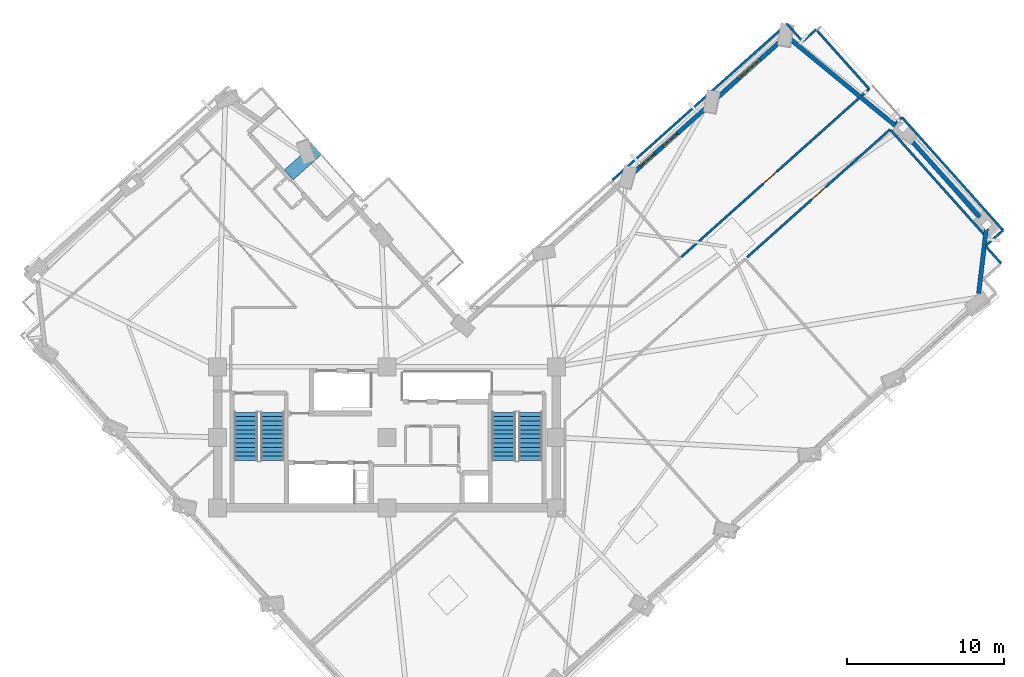
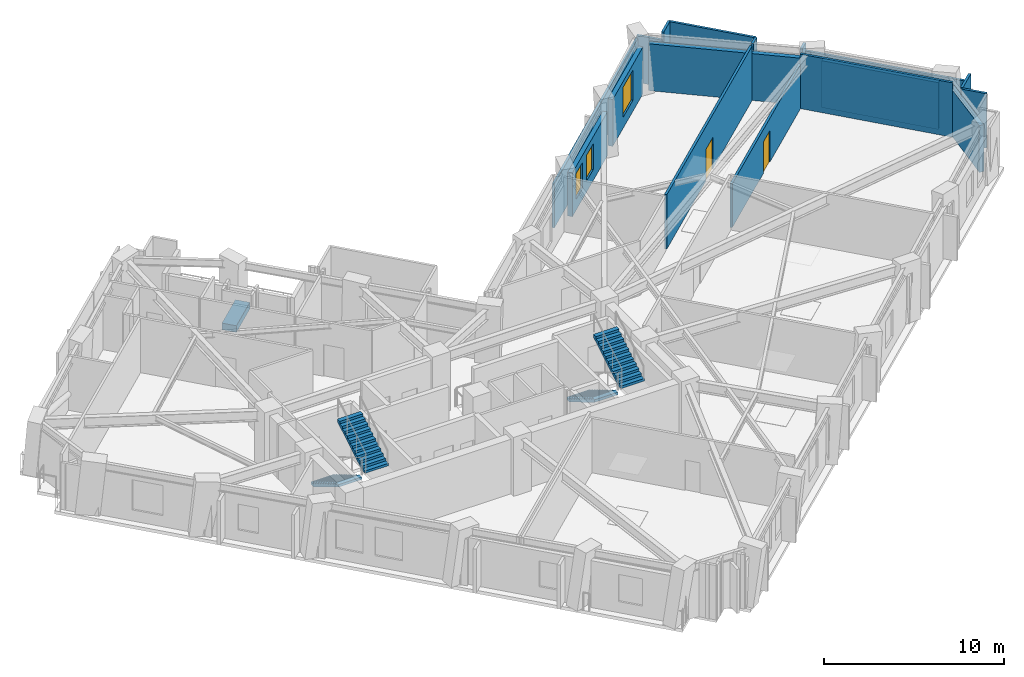
# One storey, part 9 of 14: 17 walls, 4 stair flights, 3 windows, 2 doors, 1 discrete accessory, 5 openings, 2 elements without a shape of their own.
"""IFC4 building model written with IfcOpenShell, lengths in metres."""

from ifc_helpers import new_model, si_unit, direction, frame, frame_2d, origin, origin_2d, place, context, subcontext, project, spatial, polyline, rectangle, outline, extrude, material, layer, layer_set, type_object, element, fill, aggregate, save


model = new_model("IFC4")

# Units and contexts
model_context = context("Model", 3, precision=1e-05, world=origin(), true_north=direction((0.0, 1.0)))
body_context = subcontext(model_context, "Body", "Model", "MODEL_VIEW")
ifc_project = project(units=[si_unit("LENGTHUNIT", "METRE"), si_unit("AREAUNIT", "SQUARE_METRE"), si_unit("VOLUMEUNIT", "CUBIC_METRE"), si_unit("PLANEANGLEUNIT", "RADIAN"), si_unit("MASSUNIT", "GRAM", prefix="KILO")], contexts=[model_context])

# Site, building, storey
site_placement = place(None, origin())
site = spatial("IfcSite", under=ifc_project, at=site_placement, CompositionType="ELEMENT")
building_placement = place(site_placement, origin())
building = spatial("IfcBuilding", under=site, at=building_placement, Name="Gaonmaruhae Medical Tower", CompositionType="ELEMENT")
storey_placement = place(building_placement, frame((0.0, 0.0, 201.800048828125)))
storey = spatial("IfcBuildingStorey", under=building, at=storey_placement, Name="L48", CompositionType="ELEMENT", Elevation=201.800048828125)

# Walls
ifc_material_1 = material(Name="Precast concrete C45/55", Category="concrete")
ifc_layer_1 = layer(ifc_material_1, 0.280029296875)
ifc_layer_set_1 = layer_set([ifc_layer_1], Name="Precast concrete C45/55")
wall_type_1 = type_object("IfcWallType", Name="EW-280 Upper Precast Masonry-Frame Facade Wall", PredefinedType="SOLIDWALL", material=ifc_layer_set_1)
wall_1_placement = place(storey_placement, frame((63.019287109375, 25.593017578125, 0.0), z_axis=(0.0, 0.0, 1.0), x_axis=(-0.117558838406, -0.993065919017, 0.0)))
element("IfcWall", 1, at=wall_1_placement, inside=storey, type_object=wall_type_1, Name="L48 Precast Masonry-Frame Wall S07-E01", PredefinedType="SOLIDWALL", context=body_context, shape_type="SweptSolid", body=[
    extrude(rectangle(XDim=4.145263671875, YDim=0.280029296875, at=frame_2d((2.07275390625, 0.0))), origin(), (0.0, 0.0, 1.0), 3.18505859375),
])
wall_2_placement = place(storey_placement, frame((58.0498046875, 31.436279296875, 0.0), z_axis=(0.0, 0.0, 1.0), x_axis=(0.666527724526, -0.745480242822, 0.0)))
element("IfcWall", 2, at=wall_2_placement, inside=storey, type_object=wall_type_1, Name="L48 Precast Masonry-Frame Wall E01-E02", PredefinedType="SOLIDWALL", context=body_context, shape_type="SweptSolid", body=[
    extrude(rectangle(XDim=6.840087890625, YDim=0.280029296875, at=frame_2d((3.419921875, 0.0))), origin(), (0.0, 0.0, 1.0), 3.18505859375),
])
wall_3_placement = place(storey_placement, frame((50.51611328125, 37.685791015625, 0.0), z_axis=(0.0, 0.0, 1.0), x_axis=(0.772625109764, -0.634862536115, 0.0)))
element("IfcWall", 3, at=wall_3_placement, inside=storey, type_object=wall_type_1, Name="L48 Precast Masonry-Frame Wall E02-E03", PredefinedType="SOLIDWALL", context=body_context, shape_type="SweptSolid", body=[
    extrude(rectangle(XDim=8.837890625, YDim=0.280029296875, at=frame_2d((4.4189453125, 0.0))), origin(), (0.0, 0.0, 1.0), 3.18505859375),
])

# Wall, opening, window
wall_4_placement = place(storey_placement, frame((45.89892578125, 33.985595703125, 0.0), z_axis=(0.0, 0.0, 1.0), x_axis=(0.745484640353, 0.66652280606, 0.0)))
wall_4 = element("IfcWall", 4, at=wall_4_placement, inside=storey, type_object=wall_type_1, Name="L48 Precast Masonry-Frame Wall E03-EN01", PredefinedType="SOLIDWALL", context=body_context, shape_type="SweptSolid", body=[
    extrude(rectangle(XDim=5.404541015625, YDim=0.280029296875, at=frame_2d((2.7021484375, 0.0))), origin(), (0.0, 0.0, 1.0), 3.18505859375),
])
opening_1_placement = place(wall_4_placement, frame((1.798095703125, 0.0, 0.75)))
opening_1 = element("IfcOpeningElement", 5, at=opening_1_placement, cuts=wall_4, Name="Opening WN-04", PredefinedType="OPENING", context=body_context, shape_type="SweptSolid", body=[
    extrude(rectangle(XDim=1.800048828125, YDim=2.050048828125, at=frame_2d((0.89990234375, 1.02490234375))), frame((0.0, 0.14990234375, 0.0), z_axis=(0.0, -1.0, 0.0), x_axis=(1.0, 0.0, 0.0)), (0.0, 0.0, 1.0), 0.300048828125),
])
ifc_material_2 = material(Name="Anodised aluminium and Low-E double glazing", Category="aluminium")
window_type_1 = type_object("IfcWindowType", Name="WN-04 Clinic & Consult Punched Window 1800x2050", PartitioningType="SINGLE_PANEL", PredefinedType="WINDOW", material=ifc_material_2)
window_1_placement = place(opening_1_placement, origin())
window_1 = element("IfcWindow", 6, at=window_1_placement, inside=storey, type_object=window_type_1, Name="L48 Modular Facade Window E03", OverallHeight=2.050048828125, OverallWidth=1.800048828125, PartitioningType="SINGLE_PANEL", PredefinedType="WINDOW", context=body_context, shape_type="SweptSolid", body=[
    extrude(rectangle(XDim=1.800048828125, YDim=2.050048828125, at=frame_2d((0.89990234375, 1.02490234375))), frame((0.0, 0.030029296875, 0.0), z_axis=(0.0, -1.0, 0.0), x_axis=(1.0, 0.0, 0.0)), (0.0, 0.0, 1.0), 0.06005859375),
])
fill(opening_1, window_1)

# Wall, openings, windows
wall_5_placement = place(storey_placement, frame((40.540283203125, 29.1943359375, 0.0), z_axis=(0.0, 0.0, 1.0), x_axis=(0.745469957375, 0.666539228141, 0.0)))
wall_5 = element("IfcWall", 7, at=wall_5_placement, inside=storey, type_object=wall_type_1, Name="L48 Precast Masonry-Frame Wall EN01-EN02", PredefinedType="SOLIDWALL", context=body_context, shape_type="SweptSolid", body=[
    extrude(rectangle(XDim=6.226318359375, YDim=0.280029296875, at=frame_2d((3.11328125, 0.0))), origin(), (0.0, 0.0, 1.0), 2.98486328125),
])
opening_2_placement = place(wall_5_placement, frame((2.510498046875, 0.0, 0.75)))
opening_2 = element("IfcOpeningElement", 8, at=opening_2_placement, cuts=wall_5, Name="Opening WN-05", PredefinedType="OPENING", context=body_context, shape_type="SweptSolid", body=[
    extrude(rectangle(XDim=1.199951171875, YDim=1.75, at=frame_2d((0.60009765625, 0.875))), frame((0.0, 0.14990234375, 0.0), z_axis=(0.0, -1.0, 0.0), x_axis=(1.0, 0.0, 0.0)), (0.0, 0.0, 1.0), 0.300048828125),
])
opening_3_placement = place(wall_5_placement, frame((0.59130859375, 0.0, 0.75)))
opening_3 = element("IfcOpeningElement", 9, at=opening_3_placement, cuts=wall_5, Name="Opening WN-05", PredefinedType="OPENING", context=body_context, shape_type="SweptSolid", body=[
    extrude(rectangle(XDim=1.199951171875, YDim=1.75, at=frame_2d((0.60009765625, 0.875))), frame((0.0, 0.14990234375, 0.0), z_axis=(0.0, -1.0, 0.0), x_axis=(1.0, 0.0, 0.0)), (0.0, 0.0, 1.0), 0.300048828125),
])
window_type_2 = type_object("IfcWindowType", Name="WN-05 Support & Staff Punched Window 1200x1750", PartitioningType="SINGLE_PANEL", PredefinedType="WINDOW", material=ifc_material_2)
window_2_placement = place(opening_2_placement, origin())
window_2 = element("IfcWindow", 10, at=window_2_placement, inside=storey, type_object=window_type_2, Name="L48 Modular Facade Window EN01", OverallHeight=1.75, OverallWidth=1.199951171875, PartitioningType="SINGLE_PANEL", PredefinedType="WINDOW", context=body_context, shape_type="SweptSolid", body=[
    extrude(rectangle(XDim=1.199951171875, YDim=1.75, at=frame_2d((0.60009765625, 0.875))), frame((0.0, 0.030029296875, 0.0), z_axis=(0.0, -1.0, 0.0), x_axis=(1.0, 0.0, 0.0)), (0.0, 0.0, 1.0), 0.06005859375),
])
fill(opening_2, window_2)
window_3_placement = place(opening_3_placement, origin())
window_3 = element("IfcWindow", 11, at=window_3_placement, inside=storey, type_object=window_type_2, Name="L48 Modular Facade Window EN01B", OverallHeight=1.75, OverallWidth=1.199951171875, PartitioningType="SINGLE_PANEL", PredefinedType="WINDOW", context=body_context, shape_type="SweptSolid", body=[
    extrude(rectangle(XDim=1.199951171875, YDim=1.75, at=frame_2d((0.60009765625, 0.875))), frame((0.0, 0.030029296875, 0.0), z_axis=(0.0, -1.0, 0.0), x_axis=(1.0, 0.0, 0.0)), (0.0, 0.0, 1.0), 0.06005859375),
])
fill(opening_3, window_3)

# Wall, opening, door
ifc_material_3 = material(Name="Gypsum board partition", Category="gypsum")
ifc_layer_2 = layer(ifc_material_3, 0.14990234375)
ifc_layer_set_2 = layer_set([ifc_layer_2], Name="Gypsum board partition")
wall_type_2 = type_object("IfcWallType", Name="PW-150 Rated Clinical Corridor Partition", PredefinedType="PARTITIONING", material=ifc_layer_set_2)
wall_6_placement = place(storey_placement, frame((47.760009765625, 23.778076171875, 0.0), z_axis=(0.0, 0.0, 1.0), x_axis=(0.745466097876, 0.666543544652, 0.0)))
wall_6 = element("IfcWall", 12, at=wall_6_placement, inside=storey, type_object=wall_type_2, Name="L48 Interior Partition L48-SUP04-28", PredefinedType="PARTITIONING", context=body_context, shape_type="SweptSolid", body=[
    extrude(rectangle(XDim=12.24072265625, YDim=0.14990234375, at=frame_2d((6.120361328125, 0.0))), origin(), (0.0, 0.0, 1.0), 2.98486328125),
])
opening_4_placement = place(wall_6_placement, frame((5.5205078125, 0.0, 0.0)))
opening_4 = element("IfcOpeningElement", 13, at=opening_4_placement, cuts=wall_6, Name="Opening CD-02", PredefinedType="OPENING", context=body_context, shape_type="SweptSolid", body=[
    extrude(rectangle(XDim=1.199951171875, YDim=2.14990234375, at=frame_2d((0.60009765625, 1.074951171875))), frame((0.0, 0.0849609375, 0.0), z_axis=(0.0, -1.0, 0.0), x_axis=(1.0, 0.0, 0.0)), (0.0, 0.0, 1.0), 0.169921875),
])
ifc_material_4 = material(Name="Antimicrobial laminate timber fire door", Category="wood")
door_type = type_object("IfcDoorType", Name="CD-02 Clinical Treatment & Procedure Door 1200x2150", OperationType="NOTDEFINED", PredefinedType="DOOR", material=ifc_material_4)
door_1_placement = place(opening_4_placement, origin())
door_1 = element("IfcDoor", 14, at=door_1_placement, inside=storey, type_object=door_type, Name="L48 Clinical Biomedical Charting Office Door", OperationType="SINGLE_SWING_RIGHT", OverallHeight=2.14990234375, OverallWidth=1.199951171875, PredefinedType="DOOR", context=body_context, shape_type="SweptSolid", body=[
    extrude(rectangle(XDim=1.199951171875, YDim=2.14990234375, at=frame_2d((0.60009765625, 1.074951171875))), frame((0.0, 0.02490234375, 0.0), z_axis=(0.0, -1.0, 0.0), x_axis=(1.0, 0.0, 0.0)), (0.0, 0.0, 1.0), 0.050048828125),
])
fill(opening_4, door_1)

# Walls
wall_7_placement = place(storey_placement, frame((56.91796875, 31.89990234375, 0.0), z_axis=(0.0, 0.0, 1.0), x_axis=(0.666547585993, -0.745462484372, 0.0)))
element("IfcWall", 15, at=wall_7_placement, inside=storey, type_object=wall_type_2, Name="L48 Interior Partition L48-SUP04-29", PredefinedType="PARTITIONING", context=body_context, shape_type="SweptSolid", body=[
    extrude(rectangle(XDim=8.919189453125, YDim=0.14990234375, at=frame_2d((4.45947265625, 0.0))), origin(), (0.0, 0.0, 1.0), 3.699951171875),
])
wall_8_placement = place(storey_placement, frame((63.001953125, 24.470947265625, 0.0), z_axis=(0.0, 0.0, 1.0), x_axis=(0.667000477317, -0.745057288575, 0.0)))
element("IfcWall", 16, at=wall_8_placement, inside=storey, type_object=wall_type_2, Name="L48 Interior Partition L48-SUP04-30", PredefinedType="PARTITIONING", context=body_context, shape_type="SweptSolid", body=[
    extrude(rectangle(XDim=1.45751953125, YDim=0.14990234375, at=frame_2d((0.728759765625, 0.0))), origin(), (0.0, 0.0, 1.0), 3.699951171875),
])
wall_9_placement = place(storey_placement, frame((51.31005859375, 37.549072265625, 0.0), z_axis=(0.0, 0.0, 1.0), x_axis=(0.745409304693, 0.666607057026, 0.0)))
element("IfcWall", 17, at=wall_9_placement, inside=storey, type_object=wall_type_2, Name="L48 Interior Partition L48-IE02-53", PredefinedType="PARTITIONING", context=body_context, shape_type="SweptSolid", body=[
    extrude(rectangle(XDim=1.14013671875, YDim=0.14990234375, at=frame_2d((0.570068359375, 0.0))), origin(), (0.0, 0.0, 1.0), 3.699951171875),
])
wall_10_placement = place(storey_placement, frame((52.159912109375, 38.30908203125, 0.0), z_axis=(0.0, 0.0, 1.0), x_axis=(0.666498941052, -0.745505976889, 0.0)))
element("IfcWall", 18, at=wall_10_placement, inside=storey, type_object=wall_type_2, Name="L48 Interior Partition L48-IE02-54", PredefinedType="PARTITIONING", context=body_context, shape_type="SweptSolid", body=[
    extrude(rectangle(XDim=5.08935546875, YDim=0.14990234375, at=frame_2d((2.544677734375, 0.0))), origin(), (0.0, 0.0, 1.0), 3.699951171875),
])
wall_11_placement = place(storey_placement, frame((55.552001953125, 34.514892578125, 0.0), z_axis=(0.0, 0.0, 1.0), x_axis=(-0.746059590327, -0.665879183997, 0.0)))
element("IfcWall", 19, at=wall_11_placement, inside=storey, type_object=wall_type_2, Name="L48 Interior Partition L48-IE02-55", PredefinedType="PARTITIONING", context=body_context, shape_type="SweptSolid", body=[
    extrude(rectangle(XDim=0.639404296875, YDim=0.14990234375, at=frame_2d((0.31982421875, 0.0))), origin(), (0.0, 0.0, 1.0), 3.699951171875),
])

# Wall, opening, door
wall_12_placement = place(storey_placement, frame((54.902099609375, 33.93310546875, 0.0), z_axis=(0.0, 0.0, 1.0), x_axis=(-0.745495701488, -0.666510434324, 0.0)))
wall_12 = element("IfcWall", 20, at=wall_12_placement, inside=storey, type_object=wall_type_2, Name="L48 Interior Partition L48-IE02-56", PredefinedType="PARTITIONING", context=body_context, shape_type="SweptSolid", body=[
    extrude(rectangle(XDim=15.20751953125, YDim=0.14990234375, at=frame_2d((7.603759765625, 0.0))), origin(), (0.0, 0.0, 1.0), 3.699951171875),
])
opening_5_placement = place(wall_12_placement, frame((7.003662109375, 0.0, 0.0)))
opening_5 = element("IfcOpeningElement", 21, at=opening_5_placement, cuts=wall_12, Name="Opening CD-02", PredefinedType="OPENING", context=body_context, shape_type="SweptSolid", body=[
    extrude(rectangle(XDim=1.199951171875, YDim=2.14990234375, at=frame_2d((0.60009765625, 1.074951171875))), frame((0.0, 0.0849609375, 0.0), z_axis=(0.0, -1.0, 0.0), x_axis=(1.0, 0.0, 0.0)), (0.0, 0.0, 1.0), 0.169921875),
])
door_2_placement = place(opening_5_placement, origin())
door_2 = element("IfcDoor", 22, at=door_2_placement, inside=storey, type_object=door_type, Name="L48 Acute Treatment Examination Room Door", OperationType="SINGLE_SWING_LEFT", OverallHeight=2.14990234375, OverallWidth=1.199951171875, PredefinedType="DOOR", context=body_context, shape_type="SweptSolid", body=[
    extrude(rectangle(XDim=1.199951171875, YDim=2.14990234375, at=frame_2d((0.60009765625, 1.074951171875))), frame((0.0, 0.02490234375, 0.0), z_axis=(0.0, -1.0, 0.0), x_axis=(1.0, 0.0, 0.0)), (0.0, 0.0, 1.0), 0.050048828125),
])
fill(opening_5, door_2)

# Walls
wall_13_placement = place(storey_placement, frame((39.173095703125, 28.708984375, 0.0), z_axis=(0.0, 0.0, 1.0), x_axis=(0.745462238393, 0.666547861095, 0.0)))
element("IfcWall", 23, at=wall_13_placement, inside=storey, type_object=wall_type_2, Name="L48 Interior Partition L48-IE02-57", PredefinedType="PARTITIONING", context=body_context, shape_type="SweptSolid", body=[
    extrude(rectangle(XDim=14.939697265625, YDim=0.14990234375, at=frame_2d((7.4697265625, 0.0))), origin(), (0.0, 0.0, 1.0), 2.98486328125),
])
wall_14_placement = place(storey_placement, frame((50.31005859375, 38.6669921875, 0.0), z_axis=(0.0, 0.0, 1.0), x_axis=(0.666704454809, -0.745322192034, 0.0)))
element("IfcWall", 24, at=wall_14_placement, inside=storey, type_object=wall_type_2, Name="L48 Interior Partition L48-IE02-58", PredefinedType="PARTITIONING", context=body_context, shape_type="SweptSolid", body=[
    extrude(rectangle(XDim=1.5, YDim=0.14990234375, at=frame_2d((0.75, 0.0))), origin(), (0.0, 0.0, 1.0), 3.18505859375),
])
wall_15_placement = place(storey_placement, frame((57.64697265625, 32.7119140625, 0.0), z_axis=(0.0, 0.0, 1.0), x_axis=(0.666503299324, -0.745502080474, 0.0)))
element("IfcWall", 25, at=wall_15_placement, inside=storey, type_object=wall_type_2, Name="L48 Interior Partition L48-RM05-87", PredefinedType="PARTITIONING", context=body_context, shape_type="SweptSolid", body=[
    extrude(rectangle(XDim=9.669921875, YDim=0.14990234375, at=frame_2d((4.8349609375, 0.0))), origin(), (0.0, 0.0, 1.0), 3.18505859375),
])
wall_16_placement = place(storey_placement, frame((64.092041015625, 25.5029296875, 0.0), z_axis=(0.0, 0.0, 1.0), x_axis=(-0.745681256246, -0.666302832114, 0.0)))
element("IfcWall", 26, at=wall_16_placement, inside=storey, type_object=wall_type_2, Name="L48 Interior Partition L48-RM05-88", PredefinedType="PARTITIONING", context=body_context, shape_type="SweptSolid", body=[
    extrude(rectangle(XDim=1.436279296875, YDim=0.14990234375, at=frame_2d((0.71826171875, 0.0))), origin(), (0.0, 0.0, 1.0), 3.699951171875),
])
wall_17_placement = place(storey_placement, frame((57.218017578125, 32.327880859375, 0.0), z_axis=(0.0, 0.0, 1.0), x_axis=(0.745041654239, 0.667017940875, 0.0)))
element("IfcWall", 27, at=wall_17_placement, inside=storey, type_object=wall_type_2, Name="L48 Interior Partition L48-RM05-89", PredefinedType="PARTITIONING", context=body_context, shape_type="SweptSolid", body=[
    extrude(rectangle(XDim=0.57568359375, YDim=0.14990234375, at=frame_2d((0.287841796875, 0.0))), origin(), (0.0, 0.0, 1.0), 3.699951171875),
])

# Stair, stair flights
ifc_material_5 = material(Name="Concrete C40/50", Category="concrete")
stair_type = type_object("IfcStairType", Name="ST-T1 Primary Core Escape Dogleg Stair", PredefinedType="TWO_QUARTER_TURN_STAIR", material=ifc_material_5)
stair_1_placement = place(storey_placement, origin())
stair_1 = element("IfcStair", 28, at=stair_1_placement, inside=storey, type_object=stair_type, Name="L48 Protected Escape Stair ST-01", PredefinedType="TWO_QUARTER_TURN_STAIR")
stair_flight_type = type_object("IfcStairFlightType", Name="SF-T1 Primary Core Precast Stair Flight", PredefinedType="STRAIGHT", material=ifc_material_5)
stair_flight_1_placement = place(storey_placement, frame((15.800048828125, 13.89990234375, 0.0), z_axis=(0.0, 0.0, 1.0), x_axis=(0.0, -1.0, 0.0)))
stair_flight_1 = element("IfcStairFlight", 29, at=stair_flight_1_placement, type_object=stair_flight_type, Name="ST-01 flight 1", NumberOfRisers=12, NumberOfTreads=11, PredefinedType="STRAIGHT", RiserHeight=0.166666667, TreadLength=0.28, context=body_context, shape_type="SweptSolid", body=[
    extrude(outline(polyline([(0.0, 0.0), (0.0, 0.166748046875), (0.280029296875, 0.166748046875), (0.280029296875, 0.333251953125), (0.56005859375, 0.333251953125), (0.56005859375, 0.5), (0.840087890625, 0.5), (0.840087890625, 0.666748046875), (1.1201171875, 0.666748046875), (1.1201171875, 0.833251953125), (1.39990234375, 0.833251953125), (1.39990234375, 1.0), (1.679931640625, 1.0), (1.679931640625, 1.166748046875), (1.9599609375, 1.166748046875), (1.9599609375, 1.333251953125), (2.239990234375, 1.333251953125), (2.239990234375, 1.5), (2.52001953125, 1.5), (2.52001953125, 1.666748046875), (2.800048828125, 1.666748046875), (2.800048828125, 1.833251953125), (3.080078125, 1.833251953125), (3.080078125, 2.0), (3.080078125, 1.658935546875), (0.29296875, 0.0), (0.0, 0.0)])), frame((0.0, 0.75, 0.0), z_axis=(0.0, -1.0, 0.0), x_axis=(1.0, 0.0, 0.0)), (0.0, 0.0, 1.0), 1.5),
])
stair_flight_2_placement = place(storey_placement, frame((17.5, 10.820068359375, 2.0), z_axis=(0.0, 0.0, 1.0), x_axis=(0.0, 1.0, 0.0)))
stair_flight_2 = element("IfcStairFlight", 30, at=stair_flight_2_placement, type_object=stair_flight_type, Name="ST-01 flight 2", NumberOfRisers=12, NumberOfTreads=11, PredefinedType="STRAIGHT", RiserHeight=0.166666667, TreadLength=0.28, context=body_context, shape_type="SweptSolid", body=[
    extrude(outline(polyline([(0.0, 0.0), (0.0, 0.166748046875), (0.280029296875, 0.166748046875), (0.280029296875, 0.333251953125), (0.56005859375, 0.333251953125), (0.56005859375, 0.5), (0.840087890625, 0.5), (0.840087890625, 0.666748046875), (1.1201171875, 0.666748046875), (1.1201171875, 0.833251953125), (1.39990234375, 0.833251953125), (1.39990234375, 1.0), (1.679931640625, 1.0), (1.679931640625, 1.166748046875), (1.9599609375, 1.166748046875), (1.9599609375, 1.333251953125), (2.239990234375, 1.333251953125), (2.239990234375, 1.5), (2.52001953125, 1.5), (2.52001953125, 1.666748046875), (2.800048828125, 1.666748046875), (2.800048828125, 1.833251953125), (3.080078125, 1.833251953125), (3.080078125, 2.0), (3.080078125, 1.658935546875), (0.29296875, 0.0), (0.0, 0.0)])), frame((0.0, 0.75, 0.0), z_axis=(0.0, -1.0, 0.0), x_axis=(1.0, 0.0, 0.0)), (0.0, 0.0, 1.0), 1.5),
])
aggregate(stair_1, [stair_flight_1, stair_flight_2])

stair_2_placement = place(storey_placement, origin())
stair_2 = element("IfcStair", 31, at=stair_2_placement, inside=storey, type_object=stair_type, Name="L48 Protected Escape Stair ST-02", PredefinedType="TWO_QUARTER_TURN_STAIR")
stair_flight_3_placement = place(storey_placement, frame((32.25, 13.89990234375, 0.0), z_axis=(0.0, 0.0, 1.0), x_axis=(0.0, -1.0, 0.0)))
stair_flight_3 = element("IfcStairFlight", 32, at=stair_flight_3_placement, type_object=stair_flight_type, Name="ST-02 flight 1", NumberOfRisers=12, NumberOfTreads=11, PredefinedType="STRAIGHT", RiserHeight=0.166666667, TreadLength=0.28, context=body_context, shape_type="SweptSolid", body=[
    extrude(outline(polyline([(0.0, 0.0), (0.0, 0.166748046875), (0.280029296875, 0.166748046875), (0.280029296875, 0.333251953125), (0.56005859375, 0.333251953125), (0.56005859375, 0.5), (0.840087890625, 0.5), (0.840087890625, 0.666748046875), (1.1201171875, 0.666748046875), (1.1201171875, 0.833251953125), (1.39990234375, 0.833251953125), (1.39990234375, 1.0), (1.679931640625, 1.0), (1.679931640625, 1.166748046875), (1.9599609375, 1.166748046875), (1.9599609375, 1.333251953125), (2.239990234375, 1.333251953125), (2.239990234375, 1.5), (2.52001953125, 1.5), (2.52001953125, 1.666748046875), (2.800048828125, 1.666748046875), (2.800048828125, 1.833251953125), (3.080078125, 1.833251953125), (3.080078125, 2.0), (3.080078125, 1.658935546875), (0.29296875, 0.0), (0.0, 0.0)])), frame((0.0, 0.75, 0.0), z_axis=(0.0, -1.0, 0.0), x_axis=(1.0, 0.0, 0.0)), (0.0, 0.0, 1.0), 1.5),
])
stair_flight_4_placement = place(storey_placement, frame((33.949951171875, 10.820068359375, 2.0), z_axis=(0.0, 0.0, 1.0), x_axis=(0.0, 1.0, 0.0)))
stair_flight_4 = element("IfcStairFlight", 33, at=stair_flight_4_placement, type_object=stair_flight_type, Name="ST-02 flight 2", NumberOfRisers=12, NumberOfTreads=11, PredefinedType="STRAIGHT", RiserHeight=0.166666667, TreadLength=0.28, context=body_context, shape_type="SweptSolid", body=[
    extrude(outline(polyline([(0.0, 0.0), (0.0, 0.166748046875), (0.280029296875, 0.166748046875), (0.280029296875, 0.333251953125), (0.56005859375, 0.333251953125), (0.56005859375, 0.5), (0.840087890625, 0.5), (0.840087890625, 0.666748046875), (1.1201171875, 0.666748046875), (1.1201171875, 0.833251953125), (1.39990234375, 0.833251953125), (1.39990234375, 1.0), (1.679931640625, 1.0), (1.679931640625, 1.166748046875), (1.9599609375, 1.166748046875), (1.9599609375, 1.333251953125), (2.239990234375, 1.333251953125), (2.239990234375, 1.5), (2.52001953125, 1.5), (2.52001953125, 1.666748046875), (2.800048828125, 1.666748046875), (2.800048828125, 1.833251953125), (3.080078125, 1.833251953125), (3.080078125, 2.0), (3.080078125, 1.658935546875), (0.29296875, 0.0), (0.0, 0.0)])), frame((0.0, 0.75, 0.0), z_axis=(0.0, -1.0, 0.0), x_axis=(1.0, 0.0, 0.0)), (0.0, 0.0, 1.0), 1.5),
])
aggregate(stair_2, [stair_flight_3, stair_flight_4])

# Discrete accessory
discrete_accessory_type = type_object("IfcDiscreteAccessoryType", Name="PLN-01 Sky Garden Precast Botanical Planter", PredefinedType="USERDEFINED", material=ifc_material_1)
discrete_accessory_placement = place(storey_placement, frame((19.434326171875, 29.84130859375, 0.0), z_axis=(0.0, 0.0, 1.0), x_axis=(0.745475999683, 0.666532470249, 0.0)))
element("IfcDiscreteAccessory", 34, at=discrete_accessory_placement, inside=storey, type_object=discrete_accessory_type, Name="L48 Sky Garden Botanical Planter SLB-L48-TER", ObjectType="PLANTER", PredefinedType="USERDEFINED", context=body_context, shape_type="SweptSolid", body=[
    extrude(rectangle(XDim=2.39990234375, YDim=0.85009765625, at=origin_2d()), origin(), (0.0, 0.0, 1.0), 0.449951171875),
])

save(model, "model.ifc")
